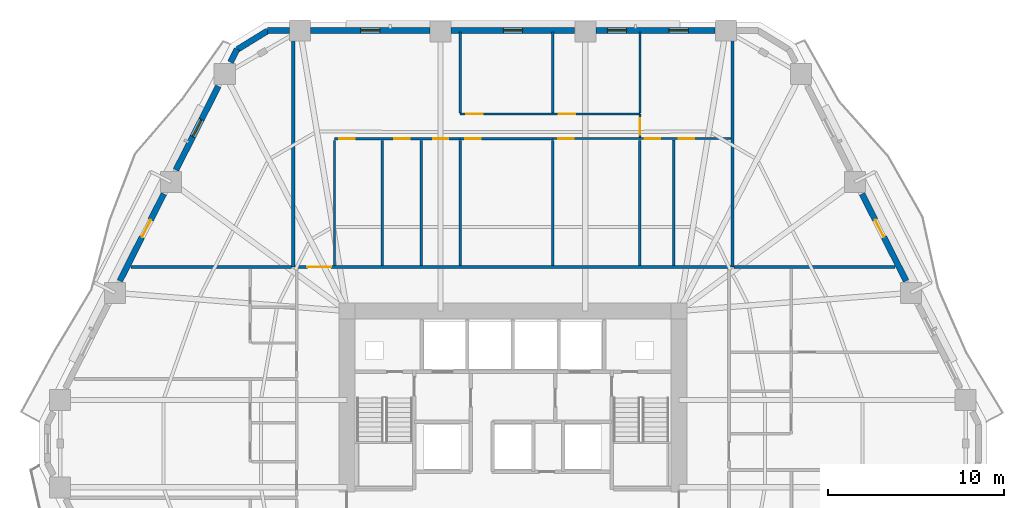
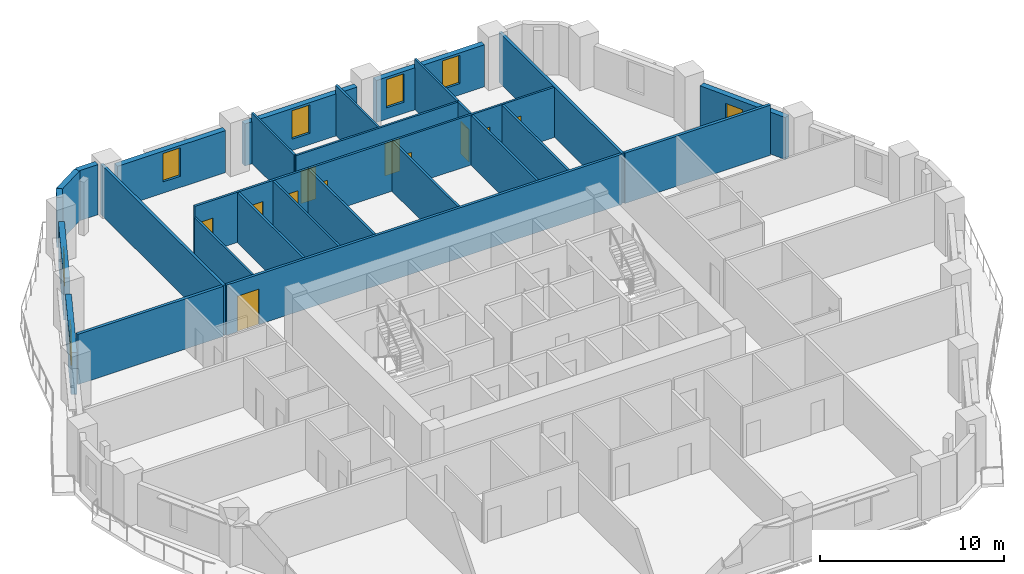
# One storey, part 7 of 14: 29 walls, 13 doors, 5 windows, 18 openings.
"""IFC4 building model written with IfcOpenShell, lengths in metres."""

from ifc_helpers import new_model, si_unit, direction, frame, frame_2d, origin, place, context, subcontext, project, spatial, rectangle, extrude, material, layer, layer_set, type_object, element, fill, save


model = new_model("IFC4")

# Units and contexts
model_context = context("Model", 3, precision=1e-05, world=origin(), true_north=direction((0.0, 1.0)))
body_context = subcontext(model_context, "Body", "Model", "MODEL_VIEW")
ifc_project = project(units=[si_unit("LENGTHUNIT", "METRE"), si_unit("AREAUNIT", "SQUARE_METRE"), si_unit("VOLUMEUNIT", "CUBIC_METRE"), si_unit("PLANEANGLEUNIT", "RADIAN"), si_unit("MASSUNIT", "GRAM", prefix="KILO")], contexts=[model_context])

# Site, building, storey
site_placement = place(None, origin())
site = spatial("IfcSite", under=ifc_project, at=site_placement, CompositionType="ELEMENT")
building_placement = place(site_placement, origin())
building = spatial("IfcBuilding", under=site, at=building_placement, Name="Cinnabar Lancet Tower", CompositionType="ELEMENT")
storey_placement = place(building_placement, frame((0.0, 0.0, 39.10009765625)))
storey = spatial("IfcBuildingStorey", under=building, at=storey_placement, Name="L09", CompositionType="ELEMENT", Elevation=39.10009765625)

# Wall, opening, door
ifc_material_1 = material(Name="Acoustic twin-stud gypsum partition", Category="gypsum")
ifc_layer_1 = layer(ifc_material_1, 0.159912109375)
ifc_layer_set_1 = layer_set([ifc_layer_1], Name="Acoustic twin-stud gypsum partition")
wall_type_1 = type_object("IfcWallType", Name="ARC-WL-CORR-160", PredefinedType="PARTITIONING", material=ifc_layer_set_1)
wall_1_placement = place(storey_placement, frame((19.9951171875, 35.85009765625, 0.0), z_axis=(0.0, 0.0, 1.0), x_axis=(1.0, 0.0, 0.0)))
wall_1 = element("IfcWall", 1, at=wall_1_placement, inside=storey, type_object=wall_type_1, Name="L09 Unit N01 Corridor Wall", PredefinedType="PARTITIONING", context=body_context, shape_type="SweptSolid", body=[
    extrude(rectangle(XDim=24.809814453125, YDim=0.159912109375, at=frame_2d((12.40478515625, 0.0))), origin(), (0.0, 0.0, 1.0), 3.329833984375),
])
opening_1_placement = place(wall_1_placement, frame((0.705078125, 0.0, 0.0)))
opening_1 = element("IfcOpeningElement", 2, at=opening_1_placement, cuts=wall_1, Name="Opening UD-02", PredefinedType="OPENING", context=body_context, shape_type="SweptSolid", body=[
    extrude(rectangle(XDim=1.35009765625, YDim=2.35009765625, at=frame_2d((0.675048828125, 1.175048828125))), frame((0.0, 0.08984375, 0.0), z_axis=(0.0, -1.0, 0.0), x_axis=(1.0, 0.0, 0.0)), (0.0, 0.0, 1.0), 0.179931640625),
])
ifc_material_2 = material(Name="Double-leaf solid timber penthouse entrance door", Category="wood")
door_type_1 = type_object("IfcDoorType", Name="ARC-DR-UNIT-PH", OperationType="NOTDEFINED", PredefinedType="DOOR", material=ifc_material_2)
door_1_placement = place(opening_1_placement, origin())
door_1 = element("IfcDoor", 3, at=door_1_placement, inside=storey, type_object=door_type_1, Name="DR-L09-N01-ENT", OperationType="SINGLE_SWING_RIGHT", OverallHeight=2.35009765625, OverallWidth=1.35009765625, PredefinedType="DOOR", context=body_context, shape_type="SweptSolid", body=[
    extrude(rectangle(XDim=1.35009765625, YDim=2.35009765625, at=frame_2d((0.675048828125, 1.175048828125))), frame((0.0, 0.02490234375, 0.0), z_axis=(0.0, -1.0, 0.0), x_axis=(1.0, 0.0, 0.0)), (0.0, 0.0, 1.0), 0.050048828125),
])
fill(opening_1, door_1)

# Walls
ifc_material_3 = material(Name="Fire-rated twin-frame acoustic drywall", Category="gypsum")
ifc_layer_2 = layer(ifc_material_3, 0.179931640625)
ifc_layer_set_2 = layer_set([ifc_layer_2], Name="Fire-rated twin-frame acoustic drywall")
wall_type_2 = type_object("IfcWallType", Name="ARC-WL-PARTY-180", PredefinedType="PARTITIONING", material=ifc_layer_set_2)
for number, where, z_axis, x_axis, name in (
    (4, (19.89990234375, 35.85009765625, 0.0), (0.0, 0.0, 1.0), (0.0, 1.0, 0.0), "PW-L09-NPTY-199"),
    (5, (44.89990234375, 35.85009765625, 0.0), (0.0, 0.0, 1.0), (0.0, 1.0, 0.0), "PW-L09-NPTY-449"),
):
    element("IfcWall", number, at=place(storey_placement, frame(where, z_axis=z_axis, x_axis=x_axis)), inside=storey, type_object=wall_type_2, Name=name, PredefinedType="PARTITIONING", context=body_context, shape_type="SweptSolid", body=[
        extrude(rectangle(XDim=13.294921875, YDim=0.179931640625, at=frame_2d((6.6474609375, 0.0))), origin(), (0.0, 0.0, 1.0), 3.329833984375),
    ])
for number, where, z_axis, x_axis, name in (
    (6, (10.6650390625, 35.85009765625, 0.0), (0.0, 0.0, 1.0), (1.0, 0.0, 0.0), "PW-L09-WNB"),
    (7, (44.9951171875, 35.85009765625, 0.0), (0.0, 0.0, 1.0), (1.0, 0.0, 0.0), "PW-L09-ENB"),
):
    element("IfcWall", number, at=place(storey_placement, frame(where, z_axis=z_axis, x_axis=x_axis)), inside=storey, type_object=wall_type_2, Name=name, PredefinedType="PARTITIONING", context=body_context, shape_type="SweptSolid", body=[
        extrude(rectangle(XDim=9.139892578125, YDim=0.179931640625, at=frame_2d((4.56982421875, 0.0))), origin(), (0.0, 0.0, 1.0), 3.329833984375),
    ])
ifc_material_4 = material(Name="Gypsum plasterboard stud partition", Category="gypsum")
ifc_layer_3 = layer(ifc_material_4, 0.125)
ifc_layer_set_3 = layer_set([ifc_layer_3], Name="Gypsum plasterboard stud partition")
wall_type_3 = type_object("IfcWallType", Name="ARC-WL-UNIT-125", PredefinedType="PARTITIONING", material=ifc_layer_set_3)
wall_2_placement = place(storey_placement, frame((22.25, 35.93505859375, 0.0), z_axis=(0.0, 0.0, 1.0), x_axis=(0.0, 1.0, 0.0)))
element("IfcWall", 8, at=wall_2_placement, inside=storey, type_object=wall_type_3, Name="UW-L09-N01-FOYE", PredefinedType="PARTITIONING", context=body_context, shape_type="SweptSolid", body=[
    extrude(rectangle(XDim=7.121826171875, YDim=0.125, at=frame_2d((3.56103515625, 0.0))), origin(), (0.0, 0.0, 1.0), 2.635986328125),
])

# Wall, openings, doors
wall_3_placement = place(storey_placement, frame((34.669921875, 43.162109375, 0.0), z_axis=(0.0, 0.0, 1.0), x_axis=(1.0, 0.0, 0.0)))
wall_3 = element("IfcWall", 9, at=wall_3_placement, inside=storey, type_object=wall_type_3, Name="UW-L09-N01-SP2", PredefinedType="PARTITIONING", context=body_context, shape_type="SweptSolid", body=[
    extrude(rectangle(XDim=10.135009765625, YDim=0.125, at=frame_2d((5.0673828125, 0.0))), origin(), (0.0, 0.0, 1.0), 3.329833984375),
])
opening_2_placement = place(wall_3_placement, frame((5.239990234375, 0.0, 0.0)))
opening_2 = element("IfcOpeningElement", 10, at=opening_2_placement, cuts=wall_3, Name="Opening BD-01", PredefinedType="OPENING", context=body_context, shape_type="SweptSolid", body=[
    extrude(rectangle(XDim=0.860107421875, YDim=2.10009765625, at=frame_2d((0.43017578125, 1.050048828125))), frame((0.0, 0.072509765625, 0.0), z_axis=(0.0, -1.0, 0.0), x_axis=(1.0, 0.0, 0.0)), (0.0, 0.0, 1.0), 0.14501953125),
])
opening_3_placement = place(wall_3_placement, frame((7.169921875, 0.0, 0.0)))
opening_3 = element("IfcOpeningElement", 11, at=opening_3_placement, cuts=wall_3, Name="Opening RD-02", PredefinedType="OPENING", context=body_context, shape_type="SweptSolid", body=[
    extrude(rectangle(XDim=0.8798828125, YDim=2.14990234375, at=frame_2d((0.43994140625, 1.074951171875))), frame((0.0, 0.072509765625, 0.0), z_axis=(0.0, -1.0, 0.0), x_axis=(1.0, 0.0, 0.0)), (0.0, 0.0, 1.0), 0.14501953125),
])
opening_4_placement = place(wall_3_placement, frame((0.300048828125, 0.0, 0.0)))
opening_4 = element("IfcOpeningElement", 12, at=opening_4_placement, cuts=wall_3, Name="Opening RD-02", PredefinedType="OPENING", context=body_context, shape_type="SweptSolid", body=[
    extrude(rectangle(XDim=0.8798828125, YDim=2.14990234375, at=frame_2d((0.43994140625, 1.074951171875))), frame((0.0, 0.072509765625, 0.0), z_axis=(0.0, -1.0, 0.0), x_axis=(1.0, 0.0, 0.0)), (0.0, 0.0, 1.0), 0.14501953125),
])
ifc_material_5 = material(Name="Moisture-resistant timber bathroom door", Category="wood")
door_type_2 = type_object("IfcDoorType", Name="ARC-DR-BATH", OperationType="NOTDEFINED", PredefinedType="DOOR", material=ifc_material_5)
door_2_placement = place(opening_2_placement, origin())
door_2 = element("IfcDoor", 13, at=door_2_placement, inside=storey, type_object=door_type_2, Name="DR-L09-N01-ENS", OperationType="SINGLE_SWING_LEFT", OverallHeight=2.10009765625, OverallWidth=0.860107421875, PredefinedType="DOOR", context=body_context, shape_type="SweptSolid", body=[
    extrude(rectangle(XDim=0.860107421875, YDim=2.10009765625, at=frame_2d((0.43017578125, 1.050048828125))), frame((0.0, 0.02490234375, 0.0), z_axis=(0.0, -1.0, 0.0), x_axis=(1.0, 0.0, 0.0)), (0.0, 0.0, 1.0), 0.050048828125),
])
fill(opening_2, door_2)
ifc_material_6 = material(Name="Engineered timber study door", Category="wood")
door_type_3 = type_object("IfcDoorType", Name="ARC-DR-STUDY", OperationType="NOTDEFINED", PredefinedType="DOOR", material=ifc_material_6)
door_3_placement = place(opening_3_placement, origin())
door_3 = element("IfcDoor", 14, at=door_3_placement, inside=storey, type_object=door_type_3, Name="DR-L09-N01-ENS-WDR", OperationType="SINGLE_SWING_RIGHT", OverallHeight=2.14990234375, OverallWidth=0.8798828125, PredefinedType="DOOR", context=body_context, shape_type="SweptSolid", body=[
    extrude(rectangle(XDim=0.8798828125, YDim=2.14990234375, at=frame_2d((0.43994140625, 1.074951171875))), frame((0.0, 0.02490234375, 0.0), z_axis=(0.0, -1.0, 0.0), x_axis=(1.0, 0.0, 0.0)), (0.0, 0.0, 1.0), 0.050048828125),
])
fill(opening_3, door_3)
door_4_placement = place(opening_4_placement, origin())
door_4 = element("IfcDoor", 15, at=door_4_placement, inside=storey, type_object=door_type_3, Name="DR-L09-N01-DRS", OperationType="SINGLE_SWING_RIGHT", OverallHeight=2.14990234375, OverallWidth=0.8798828125, PredefinedType="DOOR", context=body_context, shape_type="SweptSolid", body=[
    extrude(rectangle(XDim=0.8798828125, YDim=2.14990234375, at=frame_2d((0.43994140625, 1.074951171875))), frame((0.0, 0.02490234375, 0.0), z_axis=(0.0, -1.0, 0.0), x_axis=(1.0, 0.0, 0.0)), (0.0, 0.0, 1.0), 0.050048828125),
])
fill(opening_4, door_4)

# Walls
wall_4_placement = place(storey_placement, frame((27.18310546875, 35.93505859375, 0.0), z_axis=(0.0, 0.0, 1.0), x_axis=(0.0, 1.0, 0.0)))
element("IfcWall", 16, at=wall_4_placement, inside=storey, type_object=wall_type_3, Name="UW-L09-N01-STD", PredefinedType="PARTITIONING", context=body_context, shape_type="SweptSolid", body=[
    extrude(rectangle(XDim=7.121826171875, YDim=0.125, at=frame_2d((3.56103515625, 0.0))), origin(), (0.0, 0.0, 1.0), 3.329833984375),
])
wall_5_placement = place(storey_placement, frame((29.39990234375, 44.626953125, 0.0), z_axis=(0.0, 0.0, 1.0), x_axis=(0.0, 1.0, 0.0)))
element("IfcWall", 17, at=wall_5_placement, inside=storey, type_object=wall_type_3, Name="UW-L09-N01-BD2W", PredefinedType="PARTITIONING", context=body_context, shape_type="SweptSolid", body=[
    extrude(rectangle(XDim=4.608154296875, YDim=0.125, at=frame_2d((2.30419921875, 0.0))), origin(), (0.0, 0.0, 1.0), 3.329833984375),
])

# Wall, openings, doors
wall_6_placement = place(storey_placement, frame((29.39990234375, 44.56201171875, 0.0), z_axis=(0.0, 0.0, 1.0), x_axis=(1.0, 0.0, 0.0)))
wall_6 = element("IfcWall", 18, at=wall_6_placement, inside=storey, type_object=wall_type_3, Name="UW-L09-N01-HLN", PredefinedType="PARTITIONING", context=body_context, shape_type="SweptSolid", body=[
    extrude(rectangle(XDim=10.22998046875, YDim=0.125, at=frame_2d((5.114990234375, 0.0))), origin(), (0.0, 0.0, 1.0), 3.329833984375),
])
opening_5_placement = place(wall_6_placement, frame((0.35009765625, 0.0, 0.0)))
opening_5 = element("IfcOpeningElement", 19, at=opening_5_placement, cuts=wall_6, Name="Opening RD-01", PredefinedType="OPENING", context=body_context, shape_type="SweptSolid", body=[
    extrude(rectangle(XDim=0.919921875, YDim=2.14990234375, at=frame_2d((0.4599609375, 1.074951171875))), frame((0.0, 0.072509765625, 0.0), z_axis=(0.0, -1.0, 0.0), x_axis=(1.0, 0.0, 0.0)), (0.0, 0.0, 1.0), 0.14501953125),
])
opening_6_placement = place(wall_6_placement, frame((5.6201171875, 0.0, 0.0)))
opening_6 = element("IfcOpeningElement", 20, at=opening_6_placement, cuts=wall_6, Name="Opening RD-01", PredefinedType="OPENING", context=body_context, shape_type="SweptSolid", body=[
    extrude(rectangle(XDim=0.919921875, YDim=2.14990234375, at=frame_2d((0.4599609375, 1.074951171875))), frame((0.0, 0.072509765625, 0.0), z_axis=(0.0, -1.0, 0.0), x_axis=(1.0, 0.0, 0.0)), (0.0, 0.0, 1.0), 0.14501953125),
])
ifc_material_7 = material(Name="Engineered timber bedroom door", Category="wood")
door_type_4 = type_object("IfcDoorType", Name="ARC-DR-ROOM", OperationType="NOTDEFINED", PredefinedType="DOOR", material=ifc_material_7)
door_5_placement = place(opening_5_placement, origin())
door_5 = element("IfcDoor", 21, at=door_5_placement, inside=storey, type_object=door_type_4, Name="DR-L09-N01-BD2", OperationType="SINGLE_SWING_LEFT", OverallHeight=2.14990234375, OverallWidth=0.919921875, PredefinedType="DOOR", context=body_context, shape_type="SweptSolid", body=[
    extrude(rectangle(XDim=0.919921875, YDim=2.14990234375, at=frame_2d((0.4599609375, 1.074951171875))), frame((0.0, 0.02490234375, 0.0), z_axis=(0.0, -1.0, 0.0), x_axis=(1.0, 0.0, 0.0)), (0.0, 0.0, 1.0), 0.050048828125),
])
fill(opening_5, door_5)
door_6_placement = place(opening_6_placement, origin())
door_6 = element("IfcDoor", 22, at=door_6_placement, inside=storey, type_object=door_type_4, Name="DR-L09-N01-BD3", OperationType="SINGLE_SWING_RIGHT", OverallHeight=2.14990234375, OverallWidth=0.919921875, PredefinedType="DOOR", context=body_context, shape_type="SweptSolid", body=[
    extrude(rectangle(XDim=0.919921875, YDim=2.14990234375, at=frame_2d((0.4599609375, 1.074951171875))), frame((0.0, 0.02490234375, 0.0), z_axis=(0.0, -1.0, 0.0), x_axis=(1.0, 0.0, 0.0)), (0.0, 0.0, 1.0), 0.050048828125),
])
fill(opening_6, door_6)

# Wall, opening, door
wall_7_placement = place(storey_placement, frame((39.6298828125, 43.23193359375, 0.0), z_axis=(0.0, 0.0, 1.0), x_axis=(0.0, 1.0, 0.0)))
wall_7 = element("IfcWall", 23, at=wall_7_placement, inside=storey, type_object=wall_type_3, Name="UW-L09-N01-MBE", PredefinedType="PARTITIONING", context=body_context, shape_type="SweptSolid", body=[
    extrude(rectangle(XDim=1.330078125, YDim=0.125, at=frame_2d((0.6650390625, 0.0))), origin(), (0.0, 0.0, 1.0), 3.329833984375),
])
opening_7_placement = place(wall_7_placement, frame((0.159912109375, 0.0, 0.0)))
opening_7 = element("IfcOpeningElement", 24, at=opening_7_placement, cuts=wall_7, Name="Opening RD-01", PredefinedType="OPENING", context=body_context, shape_type="SweptSolid", body=[
    extrude(rectangle(XDim=0.919921875, YDim=2.14990234375, at=frame_2d((0.4599609375, 1.074951171875))), frame((0.0, 0.072509765625, 0.0), z_axis=(0.0, -1.0, 0.0), x_axis=(1.0, 0.0, 0.0)), (0.0, 0.0, 1.0), 0.14501953125),
])
door_7_placement = place(opening_7_placement, origin())
door_7 = element("IfcDoor", 25, at=door_7_placement, inside=storey, type_object=door_type_4, Name="DR-L09-N01-MBD", OperationType="SINGLE_SWING_LEFT", OverallHeight=2.14990234375, OverallWidth=0.919921875, PredefinedType="DOOR", context=body_context, shape_type="SweptSolid", body=[
    extrude(rectangle(XDim=0.919921875, YDim=2.14990234375, at=frame_2d((0.4599609375, 1.074951171875))), frame((0.0, 0.02490234375, 0.0), z_axis=(0.0, -1.0, 0.0), x_axis=(1.0, 0.0, 0.0)), (0.0, 0.0, 1.0), 0.050048828125),
])
fill(opening_7, door_7)

# Walls
for number, where, z_axis, x_axis, name in (
    (26, (34.669921875, 44.626953125, 0.0), (0.0, 0.0, 1.0), (0.0, 1.0, 0.0), "UW-L09-N01-MB2W"),
    (27, (39.6298828125, 44.626953125, 0.0), (0.0, 0.0, 1.0), (0.0, 1.0, 0.0), "UW-L09-N01-B23W"),
):
    element("IfcWall", number, at=place(storey_placement, frame(where, z_axis=z_axis, x_axis=x_axis)), inside=storey, type_object=wall_type_3, Name=name, PredefinedType="PARTITIONING", context=body_context, shape_type="SweptSolid", body=[
        extrude(rectangle(XDim=4.608154296875, YDim=0.125, at=frame_2d((2.30419921875, 0.0))), origin(), (0.0, 0.0, 1.0), 3.329833984375),
    ])

# Wall, openings, doors
ifc_material_8 = material(Name="Moisture-resistant cement-board plumbing wall", Category="masonry")
ifc_layer_4 = layer(ifc_material_8, 0.139892578125)
ifc_layer_set_4 = layer_set([ifc_layer_4], Name="Moisture-resistant cement-board plumbing wall")
wall_type_4 = type_object("IfcWallType", Name="ARC-WL-WET-140", PredefinedType="PLUMBINGWALL", material=ifc_layer_set_4)
wall_8_placement = place(storey_placement, frame((22.25, 43.162109375, 0.0), z_axis=(0.0, 0.0, 1.0), x_axis=(1.0, 0.0, 0.0)))
wall_8 = element("IfcWall", 28, at=wall_8_placement, inside=storey, type_object=wall_type_4, Name="UW-L09-N01-SPL", PredefinedType="PLUMBINGWALL", context=body_context, shape_type="SweptSolid", body=[
    extrude(rectangle(XDim=7.14990234375, YDim=0.139892578125, at=frame_2d((3.574951171875, 0.0))), origin(), (0.0, 0.0, 1.0), 3.329833984375),
])
opening_8_placement = place(wall_8_placement, frame((5.615966796875, 0.0, 0.0)))
opening_8 = element("IfcOpeningElement", 29, at=opening_8_placement, cuts=wall_8, Name="Opening BD-01", PredefinedType="OPENING", context=body_context, shape_type="SweptSolid", body=[
    extrude(rectangle(XDim=0.860107421875, YDim=2.10009765625, at=frame_2d((0.43017578125, 1.050048828125))), frame((0.0, 0.079833984375, 0.0), z_axis=(0.0, -1.0, 0.0), x_axis=(1.0, 0.0, 0.0)), (0.0, 0.0, 1.0), 0.159912109375),
])
opening_9_placement = place(wall_8_placement, frame((0.260009765625, 0.0, 0.0)))
opening_9 = element("IfcOpeningElement", 30, at=opening_9_placement, cuts=wall_8, Name="Opening RD-02", PredefinedType="OPENING", context=body_context, shape_type="SweptSolid", body=[
    extrude(rectangle(XDim=0.8798828125, YDim=2.14990234375, at=frame_2d((0.43994140625, 1.074951171875))), frame((0.0, 0.079833984375, 0.0), z_axis=(0.0, -1.0, 0.0), x_axis=(1.0, 0.0, 0.0)), (0.0, 0.0, 1.0), 0.159912109375),
])
opening_10_placement = place(wall_8_placement, frame((3.385009765625, 0.0, 0.0)))
opening_10 = element("IfcOpeningElement", 31, at=opening_10_placement, cuts=wall_8, Name="Opening RD-02", PredefinedType="OPENING", context=body_context, shape_type="SweptSolid", body=[
    extrude(rectangle(XDim=0.8798828125, YDim=2.14990234375, at=frame_2d((0.43994140625, 1.074951171875))), frame((0.0, 0.079833984375, 0.0), z_axis=(0.0, -1.0, 0.0), x_axis=(1.0, 0.0, 0.0)), (0.0, 0.0, 1.0), 0.159912109375),
])
door_8_placement = place(opening_8_placement, origin())
door_8 = element("IfcDoor", 32, at=door_8_placement, inside=storey, type_object=door_type_2, Name="DR-L09-N01-BTH", OperationType="SINGLE_SWING_LEFT", OverallHeight=2.10009765625, OverallWidth=0.860107421875, PredefinedType="DOOR", context=body_context, shape_type="SweptSolid", body=[
    extrude(rectangle(XDim=0.860107421875, YDim=2.10009765625, at=frame_2d((0.43017578125, 1.050048828125))), frame((0.0, 0.02490234375, 0.0), z_axis=(0.0, -1.0, 0.0), x_axis=(1.0, 0.0, 0.0)), (0.0, 0.0, 1.0), 0.050048828125),
])
fill(opening_8, door_8)
door_9_placement = place(opening_9_placement, origin())
door_9 = element("IfcDoor", 33, at=door_9_placement, inside=storey, type_object=door_type_3, Name="DR-L09-N01-KIT", OperationType="SINGLE_SWING_LEFT", OverallHeight=2.14990234375, OverallWidth=0.8798828125, PredefinedType="DOOR", context=body_context, shape_type="SweptSolid", body=[
    extrude(rectangle(XDim=0.8798828125, YDim=2.14990234375, at=frame_2d((0.43994140625, 1.074951171875))), frame((0.0, 0.02490234375, 0.0), z_axis=(0.0, -1.0, 0.0), x_axis=(1.0, 0.0, 0.0)), (0.0, 0.0, 1.0), 0.050048828125),
])
fill(opening_9, door_9)
door_10_placement = place(opening_10_placement, origin())
door_10 = element("IfcDoor", 34, at=door_10_placement, inside=storey, type_object=door_type_3, Name="DR-L09-N01-STD", OperationType="SINGLE_SWING_RIGHT", OverallHeight=2.14990234375, OverallWidth=0.8798828125, PredefinedType="DOOR", context=body_context, shape_type="SweptSolid", body=[
    extrude(rectangle(XDim=0.8798828125, YDim=2.14990234375, at=frame_2d((0.43994140625, 1.074951171875))), frame((0.0, 0.02490234375, 0.0), z_axis=(0.0, -1.0, 0.0), x_axis=(1.0, 0.0, 0.0)), (0.0, 0.0, 1.0), 0.050048828125),
])
fill(opening_10, door_10)

# Wall, opening, door
wall_9_placement = place(storey_placement, frame((29.39990234375, 43.162109375, 0.0), z_axis=(0.0, 0.0, 1.0), x_axis=(1.0, 0.0, 0.0)))
wall_9 = element("IfcWall", 35, at=wall_9_placement, inside=storey, type_object=wall_type_4, Name="UW-L09-N01-SPM", PredefinedType="PLUMBINGWALL", context=body_context, shape_type="SweptSolid", body=[
    extrude(rectangle(XDim=5.27001953125, YDim=0.139892578125, at=frame_2d((2.635009765625, 0.0))), origin(), (0.0, 0.0, 1.0), 3.329833984375),
])
opening_11_placement = place(wall_9_placement, frame((0.300048828125, 0.0, 0.0)))
opening_11 = element("IfcOpeningElement", 36, at=opening_11_placement, cuts=wall_9, Name="Opening RD-02", PredefinedType="OPENING", context=body_context, shape_type="SweptSolid", body=[
    extrude(rectangle(XDim=0.8798828125, YDim=2.14990234375, at=frame_2d((0.43994140625, 1.074951171875))), frame((0.0, 0.079833984375, 0.0), z_axis=(0.0, -1.0, 0.0), x_axis=(1.0, 0.0, 0.0)), (0.0, 0.0, 1.0), 0.159912109375),
])
door_11_placement = place(opening_11_placement, origin())
door_11 = element("IfcDoor", 37, at=door_11_placement, inside=storey, type_object=door_type_3, Name="DR-L09-N01-UTL", OperationType="SINGLE_SWING_RIGHT", OverallHeight=2.14990234375, OverallWidth=0.8798828125, PredefinedType="DOOR", context=body_context, shape_type="SweptSolid", body=[
    extrude(rectangle(XDim=0.8798828125, YDim=2.14990234375, at=frame_2d((0.43994140625, 1.074951171875))), frame((0.0, 0.02490234375, 0.0), z_axis=(0.0, -1.0, 0.0), x_axis=(1.0, 0.0, 0.0)), (0.0, 0.0, 1.0), 0.050048828125),
])
fill(opening_11, door_11)

# Walls
for number, where, z_axis, x_axis, name in (
    (38, (24.967041015625, 35.93505859375, 0.0), (0.0, 0.0, 1.0), (0.0, 1.0, 0.0), "UW-L09-N01-KDV"),
    (39, (29.39990234375, 35.93505859375, 0.0), (0.0, 0.0, 1.0), (0.0, 1.0, 0.0), "UW-L09-N01-ENSW"),
    (40, (34.669921875, 35.93505859375, 0.0), (0.0, 0.0, 1.0), (0.0, 1.0, 0.0), "UW-L09-N01-ENSE"),
    (41, (39.6298828125, 35.93505859375, 0.0), (0.0, 0.0, 1.0), (0.0, 1.0, 0.0), "UW-L09-N01-UT3"),
):
    element("IfcWall", number, at=place(storey_placement, frame(where, z_axis=z_axis, x_axis=x_axis)), inside=storey, type_object=wall_type_4, Name=name, PredefinedType="PLUMBINGWALL", context=body_context, shape_type="SweptSolid", body=[
        extrude(rectangle(XDim=7.121826171875, YDim=0.139892578125, at=frame_2d((3.56103515625, 0.0))), origin(), (0.0, 0.0, 1.0), 3.329833984375),
    ])
wall_10_placement = place(storey_placement, frame((41.56005859375, 35.93505859375, 0.0), z_axis=(0.0, 0.0, 1.0), x_axis=(0.0, 1.0, 0.0)))
element("IfcWall", 42, at=wall_10_placement, inside=storey, type_object=wall_type_4, Name="UW-L09-N01-ENS-WDV", PredefinedType="PLUMBINGWALL", context=body_context, shape_type="SweptSolid", body=[
    extrude(rectangle(XDim=7.141845703125, YDim=0.139892578125, at=frame_2d((3.57080078125, 0.0))), origin(), (0.0, 0.0, 1.0), 3.329833984375),
])
ifc_material_9 = material(Name="Cinnabar red clay brick", Category="masonry")
ifc_layer_5 = layer(ifc_material_9, 0.340087890625)
ifc_layer_set_5 = layer_set([ifc_layer_5], Name="Cinnabar red clay brick")
wall_type_5 = type_object("IfcWallType", Name="ENV-WL-BRK-RED-340", PredefinedType="STANDARD", material=ifc_layer_set_5)
wall_11_placement = place(storey_placement, frame((18.43896484375, 49.294921875, 0.0), z_axis=(0.0, 0.0, 1.0), x_axis=(-0.851870104345, -0.523753114857, 0.0)))
element("IfcWall", 43, at=wall_11_placement, inside=storey, type_object=wall_type_5, Name="L09 Chamfered Corner Brick Pier 5.1", PredefinedType="STANDARD", context=body_context, shape_type="SweptSolid", body=[
    extrude(rectangle(XDim=2.017822265625, YDim=0.340087890625, at=frame_2d((1.0087890625, 0.0))), origin(), (0.0, 0.0, 1.0), 3.329833984375),
])

# Wall, opening, door
wall_12_placement = place(storey_placement, frame((54.77587890625, 35.06103515625, 0.0), z_axis=(0.0, 0.0, 1.0), x_axis=(-0.451592100298, 0.892224509273, 0.0)))
wall_12 = element("IfcWall", 44, at=wall_12_placement, inside=storey, type_object=wall_type_5, Name="L09 Face 3 Masonry Bay Wall 3", PredefinedType="STANDARD", context=body_context, shape_type="SweptSolid", body=[
    extrude(rectangle(XDim=5.546875, YDim=0.340087890625, at=frame_2d((2.7734375, 0.0))), origin(), (0.0, 0.0, 1.0), 2.786865234375),
])
opening_12_placement = place(wall_12_placement, frame((2.791015625, 0.0, 0.0)))
opening_12 = element("IfcOpeningElement", 45, at=opening_12_placement, cuts=wall_12, Name="Opening TD-01", PredefinedType="OPENING", context=body_context, shape_type="SweptSolid", body=[
    extrude(rectangle(XDim=1.10009765625, YDim=2.25, at=frame_2d((0.550048828125, 1.125))), frame((0.0, 0.179931640625, 0.0), z_axis=(0.0, -1.0, 0.0), x_axis=(1.0, 0.0, 0.0)), (0.0, 0.0, 1.0), 0.360107421875),
])
ifc_material_10 = material(Name="Thermally broken low-E glazed balcony terrace door", Category="wood")
door_type_5 = type_object("IfcDoorType", Name="ARC-DR-BALC", OperationType="NOTDEFINED", PredefinedType="DOOR", material=ifc_material_10)
door_12_placement = place(opening_12_placement, origin())
door_12 = element("IfcDoor", 46, at=door_12_placement, inside=storey, type_object=door_type_5, Name="L09 Face 3 Glazed Terrace Door", OperationType="SINGLE_SWING_LEFT", OverallHeight=2.25, OverallWidth=1.10009765625, PredefinedType="DOOR", context=body_context, shape_type="SweptSolid", body=[
    extrude(rectangle(XDim=1.10009765625, YDim=2.25, at=frame_2d((0.550048828125, 1.125))), frame((0.0, 0.02490234375, 0.0), z_axis=(0.0, -1.0, 0.0), x_axis=(1.0, 0.0, 0.0)), (0.0, 0.0, 1.0), 0.050048828125),
])
fill(opening_12, door_12)

# Wall, openings, windows
wall_13_placement = place(storey_placement, frame((43.9130859375, 49.320068359375, 0.0), z_axis=(0.0, 0.0, 1.0), x_axis=(-1.0, 0.0, 0.0)))
wall_13 = element("IfcWall", 47, at=wall_13_placement, inside=storey, type_object=wall_type_5, Name="L09 Face 4 Masonry Bay Wall 2", PredefinedType="STANDARD", context=body_context, shape_type="SweptSolid", body=[
    extrude(rectangle(XDim=6.787109375, YDim=0.340087890625, at=frame_2d((3.3935546875, 0.0))), origin(), (0.0, 0.0, 1.0), 2.786865234375),
])
opening_13_placement = place(wall_13_placement, frame((1.534912109375, 0.0, 0.75)))
opening_13 = element("IfcOpeningElement", 48, at=opening_13_placement, cuts=wall_13, Name="Opening WN-04", PredefinedType="OPENING", context=body_context, shape_type="SweptSolid", body=[
    extrude(rectangle(XDim=1.10009765625, YDim=1.886962890625, at=frame_2d((0.550048828125, 0.943359375))), frame((0.0, 0.179931640625, 0.0), z_axis=(0.0, -1.0, 0.0), x_axis=(1.0, 0.0, 0.0)), (0.0, 0.0, 1.0), 0.360107421875),
])
opening_14_placement = place(wall_13_placement, frame((5.041015625, 0.0, 0.75)))
opening_14 = element("IfcOpeningElement", 49, at=opening_14_placement, cuts=wall_13, Name="Opening WN-04", PredefinedType="OPENING", context=body_context, shape_type="SweptSolid", body=[
    extrude(rectangle(XDim=1.10009765625, YDim=1.886962890625, at=frame_2d((0.550048828125, 0.943359375))), frame((0.0, 0.179931640625, 0.0), z_axis=(0.0, -1.0, 0.0), x_axis=(1.0, 0.0, 0.0)), (0.0, 0.0, 1.0), 0.360107421875),
])
ifc_material_11 = material(Name="Thermally broken bronze-anodized aluminium tall lancet window", Category="aluminium")
window_type = type_object("IfcWindowType", Name="ENV-WN-LANCET-1100", PartitioningType="SINGLE_PANEL", PredefinedType="WINDOW", material=ifc_material_11)
window_1_placement = place(opening_13_placement, origin())
window_1 = element("IfcWindow", 50, at=window_1_placement, inside=storey, type_object=window_type, Name="L09 Face 4 Gothic Lancet Window 2", OverallHeight=1.886962890625, OverallWidth=1.10009765625, PartitioningType="SINGLE_PANEL", PredefinedType="WINDOW", context=body_context, shape_type="SweptSolid", body=[
    extrude(rectangle(XDim=1.10009765625, YDim=1.886962890625, at=frame_2d((0.550048828125, 0.943359375))), frame((0.0, 0.030029296875, 0.0), z_axis=(0.0, -1.0, 0.0), x_axis=(1.0, 0.0, 0.0)), (0.0, 0.0, 1.0), 0.06005859375),
])
fill(opening_13, window_1)
window_2_placement = place(opening_14_placement, origin())
window_2 = element("IfcWindow", 51, at=window_2_placement, inside=storey, type_object=window_type, Name="L09 Split-Bay Gothic Lancet Window 17", OverallHeight=1.886962890625, OverallWidth=1.10009765625, PartitioningType="SINGLE_PANEL", PredefinedType="WINDOW", context=body_context, shape_type="SweptSolid", body=[
    extrude(rectangle(XDim=1.10009765625, YDim=1.886962890625, at=frame_2d((0.550048828125, 0.943359375))), frame((0.0, 0.030029296875, 0.0), z_axis=(0.0, -1.0, 0.0), x_axis=(1.0, 0.0, 0.0)), (0.0, 0.0, 1.0), 0.06005859375),
])
fill(opening_14, window_2)

# Wall, opening, window
wall_14_placement = place(storey_placement, frame((35.91796875, 49.320068359375, 0.0), z_axis=(0.0, 0.0, 1.0), x_axis=(-1.0, 0.0, 0.0)))
wall_14 = element("IfcWall", 52, at=wall_14_placement, inside=storey, type_object=wall_type_5, Name="L09 Face 4 Masonry Bay Wall 3", PredefinedType="STANDARD", context=body_context, shape_type="SweptSolid", body=[
    extrude(rectangle(XDim=7.035888671875, YDim=0.340087890625, at=frame_2d((3.51806640625, 0.0))), origin(), (0.0, 0.0, 1.0), 2.786865234375),
])
opening_15_placement = place(wall_14_placement, frame((2.968017578125, 0.0, 0.75)))
opening_15 = element("IfcOpeningElement", 53, at=opening_15_placement, cuts=wall_14, Name="Opening WN-04", PredefinedType="OPENING", context=body_context, shape_type="SweptSolid", body=[
    extrude(rectangle(XDim=1.10009765625, YDim=1.886962890625, at=frame_2d((0.550048828125, 0.943359375))), frame((0.0, 0.179931640625, 0.0), z_axis=(0.0, -1.0, 0.0), x_axis=(1.0, 0.0, 0.0)), (0.0, 0.0, 1.0), 0.360107421875),
])
window_3_placement = place(opening_15_placement, origin())
window_3 = element("IfcWindow", 54, at=window_3_placement, inside=storey, type_object=window_type, Name="L09 Face 4 Gothic Lancet Window 3", OverallHeight=1.886962890625, OverallWidth=1.10009765625, PartitioningType="SINGLE_PANEL", PredefinedType="WINDOW", context=body_context, shape_type="SweptSolid", body=[
    extrude(rectangle(XDim=1.10009765625, YDim=1.886962890625, at=frame_2d((0.550048828125, 0.943359375))), frame((0.0, 0.030029296875, 0.0), z_axis=(0.0, -1.0, 0.0), x_axis=(1.0, 0.0, 0.0)), (0.0, 0.0, 1.0), 0.06005859375),
])
fill(opening_15, window_3)

wall_15_placement = place(storey_placement, frame((27.674072265625, 49.320068359375, 0.0), z_axis=(0.0, 0.0, 1.0), x_axis=(-1.0, 0.0, 0.0)))
wall_15 = element("IfcWall", 55, at=wall_15_placement, inside=storey, type_object=wall_type_5, Name="L09 Face 4 Masonry Bay Wall 4", PredefinedType="STANDARD", context=body_context, shape_type="SweptSolid", body=[
    extrude(rectangle(XDim=6.787109375, YDim=0.340087890625, at=frame_2d((3.3935546875, 0.0))), origin(), (0.0, 0.0, 1.0), 2.786865234375),
])
opening_16_placement = place(wall_15_placement, frame((2.843017578125, 0.0, 0.75)))
opening_16 = element("IfcOpeningElement", 56, at=opening_16_placement, cuts=wall_15, Name="Opening WN-04", PredefinedType="OPENING", context=body_context, shape_type="SweptSolid", body=[
    extrude(rectangle(XDim=1.10009765625, YDim=1.886962890625, at=frame_2d((0.550048828125, 0.943359375))), frame((0.0, 0.179931640625, 0.0), z_axis=(0.0, -1.0, 0.0), x_axis=(1.0, 0.0, 0.0)), (0.0, 0.0, 1.0), 0.360107421875),
])
window_4_placement = place(opening_16_placement, origin())
window_4 = element("IfcWindow", 57, at=window_4_placement, inside=storey, type_object=window_type, Name="L09 Face 4 Gothic Lancet Window 4", OverallHeight=1.886962890625, OverallWidth=1.10009765625, PartitioningType="SINGLE_PANEL", PredefinedType="WINDOW", context=body_context, shape_type="SweptSolid", body=[
    extrude(rectangle(XDim=1.10009765625, YDim=1.886962890625, at=frame_2d((0.550048828125, 0.943359375))), frame((0.0, 0.030029296875, 0.0), z_axis=(0.0, -1.0, 0.0), x_axis=(1.0, 0.0, 0.0)), (0.0, 0.0, 1.0), 0.06005859375),
])
fill(opening_16, window_4)

# Walls
wall_16_placement = place(storey_placement, frame((19.678955078125, 49.320068359375, 0.0), z_axis=(0.0, 0.0, 1.0), x_axis=(-1.0, 0.0, 0.0)))
element("IfcWall", 58, at=wall_16_placement, inside=storey, type_object=wall_type_5, Name="L09 Face 4 Masonry Bay Wall 5", PredefinedType="STANDARD", context=body_context, shape_type="SweptSolid", body=[
    extrude(rectangle(XDim=1.244873046875, YDim=0.340087890625, at=frame_2d((0.62255859375, 0.0))), origin(), (0.0, 0.0, 1.0), 3.329833984375),
])
wall_17_placement = place(storey_placement, frame((16.699951171875, 48.25390625, 0.0), z_axis=(0.0, 0.0, 1.0), x_axis=(-0.451995771866, -0.892020079491, 0.0)))
element("IfcWall", 59, at=wall_17_placement, inside=storey, type_object=wall_type_5, Name="L09 Face 5 Masonry Bay Wall 1", PredefinedType="STANDARD", context=body_context, shape_type="SweptSolid", body=[
    extrude(rectangle(XDim=0.836181640625, YDim=0.340087890625, at=frame_2d((0.41796875, 0.0))), origin(), (0.0, 0.0, 1.0), 3.329833984375),
])

# Wall, opening, window
wall_18_placement = place(storey_placement, frame((15.634033203125, 46.14599609375, 0.0), z_axis=(0.0, 0.0, 1.0), x_axis=(-0.451697561555, -0.892171123095, 0.0)))
wall_18 = element("IfcWall", 60, at=wall_18_placement, inside=storey, type_object=wall_type_5, Name="L09 Face 5 Masonry Bay Wall 2", PredefinedType="STANDARD", context=body_context, shape_type="SweptSolid", body=[
    extrude(rectangle(XDim=5.350830078125, YDim=0.340087890625, at=frame_2d((2.67529296875, 0.0))), origin(), (0.0, 0.0, 1.0), 2.786865234375),
])
opening_17_placement = place(wall_18_placement, frame((2.125, 0.0, 0.75)))
opening_17 = element("IfcOpeningElement", 61, at=opening_17_placement, cuts=wall_18, Name="Opening WN-04", PredefinedType="OPENING", context=body_context, shape_type="SweptSolid", body=[
    extrude(rectangle(XDim=1.10009765625, YDim=1.886962890625, at=frame_2d((0.550048828125, 0.943359375))), frame((0.0, 0.179931640625, 0.0), z_axis=(0.0, -1.0, 0.0), x_axis=(1.0, 0.0, 0.0)), (0.0, 0.0, 1.0), 0.360107421875),
])
window_5_placement = place(opening_17_placement, origin())
window_5 = element("IfcWindow", 62, at=window_5_placement, inside=storey, type_object=window_type, Name="L09 Face 5 Gothic Lancet Window 2", OverallHeight=1.886962890625, OverallWidth=1.10009765625, PartitioningType="SINGLE_PANEL", PredefinedType="WINDOW", context=body_context, shape_type="SweptSolid", body=[
    extrude(rectangle(XDim=1.10009765625, YDim=1.886962890625, at=frame_2d((0.550048828125, 0.943359375))), frame((0.0, 0.030029296875, 0.0), z_axis=(0.0, -1.0, 0.0), x_axis=(1.0, 0.0, 0.0)), (0.0, 0.0, 1.0), 0.06005859375),
])
fill(opening_17, window_5)

# Wall, opening, door
wall_19_placement = place(storey_placement, frame((12.529052734375, 40.010009765625, 0.0), z_axis=(0.0, 0.0, 1.0), x_axis=(-0.451627137896, -0.892206774417, 0.0)))
wall_19 = element("IfcWall", 63, at=wall_19_placement, inside=storey, type_object=wall_type_5, Name="L09 Face 5 Masonry Bay Wall 3", PredefinedType="STANDARD", context=body_context, shape_type="SweptSolid", body=[
    extrude(rectangle(XDim=5.546875, YDim=0.340087890625, at=frame_2d((2.7734375, 0.0))), origin(), (0.0, 0.0, 1.0), 2.786865234375),
])
opening_18_placement = place(wall_19_placement, frame((1.656005859375, 0.0, 0.0)))
opening_18 = element("IfcOpeningElement", 64, at=opening_18_placement, cuts=wall_19, Name="Opening TD-01", PredefinedType="OPENING", context=body_context, shape_type="SweptSolid", body=[
    extrude(rectangle(XDim=1.10009765625, YDim=2.25, at=frame_2d((0.550048828125, 1.125))), frame((0.0, 0.179931640625, 0.0), z_axis=(0.0, -1.0, 0.0), x_axis=(1.0, 0.0, 0.0)), (0.0, 0.0, 1.0), 0.360107421875),
])
door_13_placement = place(opening_18_placement, origin())
door_13 = element("IfcDoor", 65, at=door_13_placement, inside=storey, type_object=door_type_5, Name="L09 Face 5 Glazed Terrace Door", OperationType="SINGLE_SWING_LEFT", OverallHeight=2.25, OverallWidth=1.10009765625, PredefinedType="DOOR", context=body_context, shape_type="SweptSolid", body=[
    extrude(rectangle(XDim=1.10009765625, YDim=2.25, at=frame_2d((0.550048828125, 1.125))), frame((0.0, 0.02490234375, 0.0), z_axis=(0.0, -1.0, 0.0), x_axis=(1.0, 0.0, 0.0)), (0.0, 0.0, 1.0), 0.050048828125),
])
fill(opening_18, door_13)

save(model, "model.ifc")
